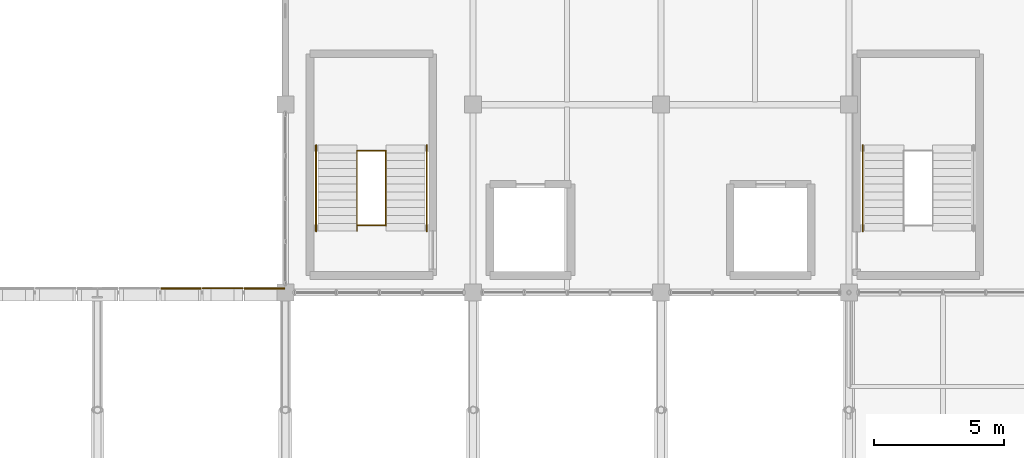
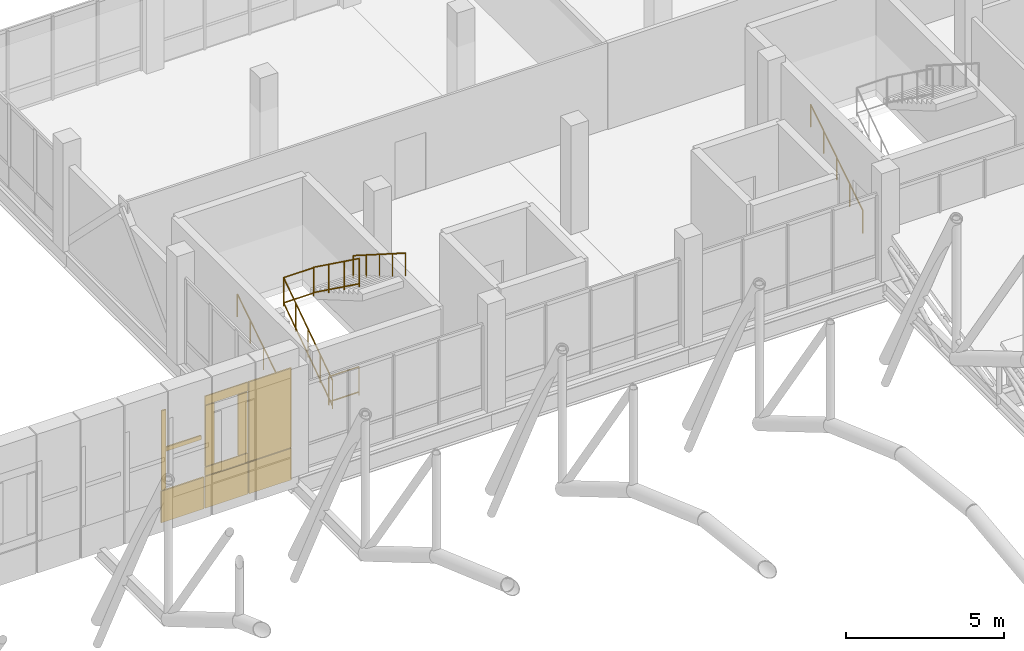
# One storey, part 141 of 144: 10 coverings, 7 railings.
"""IFC4 building model written with IfcOpenShell, lengths in metres."""

from ifc_helpers import new_model, si_unit, direction, frame, origin, origin_2d, place, context, subcontext, project, spatial, rectangle, circle, extrude, material, layer, layer_set, type_object, element, save


model = new_model("IFC4")

# Units and contexts
model_context = context("Model", 3, precision=1e-05, world=origin(), true_north=direction((0.0, 1.0)))
body_context = subcontext(model_context, "Body", "Model", "MODEL_VIEW")
ifc_project = project(units=[si_unit("LENGTHUNIT", "METRE"), si_unit("AREAUNIT", "SQUARE_METRE"), si_unit("VOLUMEUNIT", "CUBIC_METRE"), si_unit("PLANEANGLEUNIT", "RADIAN"), si_unit("MASSUNIT", "GRAM", prefix="KILO")], contexts=[model_context])

# Site, building, storey
site_placement = place(None, origin())
site = spatial("IfcSite", under=ifc_project, at=site_placement, CompositionType="ELEMENT")
building_placement = place(site_placement, origin())
building = spatial("IfcBuilding", under=site, at=building_placement, Name="Yarey Park Central Fire Station", CompositionType="ELEMENT")
storey_placement = place(building_placement, frame((0.0, 0.0, 10.199951171875)))
storey = spatial("IfcBuildingStorey", under=building, at=storey_placement, Name="L03", CompositionType="ELEMENT", Elevation=10.199951171875)

# Coverings
ifc_material_1 = material(Name="Perforated Powder-Coated Aluminium Cladding", Category="aluminium")
ifc_layer_1 = layer(ifc_material_1, 0.0419921875)
ifc_layer_set_1 = layer_set([ifc_layer_1], Name="Perforated Powder-Coated Aluminium Cladding")
covering_type_1 = type_object("IfcCoveringType", Name="ENV_COV_PERF_1", PredefinedType="CLADDING", material=ifc_layer_set_1)
covering_1_placement = place(storey_placement, frame((112.800048828125, 93.760009765625, -0.43505859375), z_axis=(0.0, 0.0, 1.0), x_axis=(1.0, 0.0, 0.0)))
element("IfcCovering", 1, at=covering_1_placement, inside=storey, type_object=covering_type_1, Name="PERF_L03_1705", PredefinedType="CLADDING", context=body_context, shape_type="SweptSolid", body=[
    extrude(rectangle(XDim=1.56005859375, YDim=0.0419921875, at=origin_2d()), origin(), (0.0, 0.0, 1.0), 1.219970703125),
])
for number, where, z_axis, x_axis, name in (
    (2, (112.800048828125, 93.760009765625, 0.81005859375), (0.0, 0.0, 1.0), (1.0, 0.0, 0.0), "PERF_L03_1706"),
    (3, (112.800048828125, 93.760009765625, 3.5498046875), (0.0, 0.0, 1.0), (1.0, 0.0, 0.0), "PERF_L03_1707"),
):
    element("IfcCovering", number, at=place(storey_placement, frame(where, z_axis=z_axis, x_axis=x_axis)), inside=storey, type_object=covering_type_1, Name=name, PredefinedType="CLADDING", context=body_context, shape_type="SweptSolid", body=[
        extrude(rectangle(XDim=1.56005859375, YDim=0.0419921875, at=origin_2d()), origin(), (0.0, 0.0, 1.0), 0.340087890625),
    ])
for number, where, z_axis, x_axis, name in (
    (4, (112.199951171875, 93.760009765625, 1.175048828125), (0.0, 0.0, 1.0), (1.0, 0.0, 0.0), "PERF_L03_1708"),
    (5, (113.39990234375, 93.760009765625, 1.175048828125), (0.0, 0.0, 1.0), (1.0, 0.0, 0.0), "PERF_L03_1709"),
):
    element("IfcCovering", number, at=place(storey_placement, frame(where, z_axis=z_axis, x_axis=x_axis)), inside=storey, type_object=covering_type_1, Name=name, PredefinedType="CLADDING", context=body_context, shape_type="SweptSolid", body=[
        extrude(rectangle(XDim=0.340087890625, YDim=0.0419921875, at=origin_2d()), origin(), (0.0, 0.0, 1.0), 2.35009765625),
    ])
ifc_layer_2 = layer(ifc_material_1, 0.053955078125)
ifc_layer_set_2 = layer_set([ifc_layer_2], Name="Perforated Powder-Coated Aluminium Cladding")
covering_type_2 = type_object("IfcCoveringType", Name="ENV_COV_PERF_2", PredefinedType="CLADDING", material=ifc_layer_set_2)
covering_2_placement = place(storey_placement, frame((111.199951171875, 93.760009765625, -0.43505859375), z_axis=(0.0, 0.0, 1.0), x_axis=(1.0, 0.0, 0.0)))
element("IfcCovering", 6, at=covering_2_placement, inside=storey, type_object=covering_type_2, Name="PERF_L03_1701", PredefinedType="CLADDING", context=body_context, shape_type="SweptSolid", body=[
    extrude(rectangle(XDim=1.56005859375, YDim=0.053955078125, at=origin_2d()), origin(), (0.0, 0.0, 1.0), 1.219970703125),
])
covering_3_placement = place(storey_placement, frame((110.510009765625, 93.760009765625, 0.81494140625), z_axis=(0.0, 0.0, 1.0), x_axis=(1.0, 0.0, 0.0)))
element("IfcCovering", 7, at=covering_3_placement, inside=storey, type_object=covering_type_2, Name="PERF_L03_1702", PredefinedType="CLADDING", context=body_context, shape_type="SweptSolid", body=[
    extrude(rectangle(XDim=0.159912109375, YDim=0.053955078125, at=origin_2d()), origin(), (0.0, 0.0, 1.0), 3.070068359375),
])
covering_4_placement = place(storey_placement, frame((111.199951171875, 93.760009765625, 2.27001953125), z_axis=(0.0, 0.0, 1.0), x_axis=(1.0, 0.0, 0.0)))
element("IfcCovering", 8, at=covering_4_placement, inside=storey, type_object=covering_type_2, Name="PERF_L03_1703", PredefinedType="CLADDING", context=body_context, shape_type="SweptSolid", body=[
    extrude(rectangle(XDim=1.360107421875, YDim=0.053955078125, at=origin_2d()), origin(), (0.0, 0.0, 1.0), 0.159912109375),
])
covering_5_placement = place(storey_placement, frame((114.39990234375, 93.760009765625, -0.43505859375), z_axis=(0.0, 0.0, 1.0), x_axis=(1.0, 0.0, 0.0)))
element("IfcCovering", 9, at=covering_5_placement, inside=storey, type_object=covering_type_2, Name="PERF_L03_1711", PredefinedType="CLADDING", context=body_context, shape_type="SweptSolid", body=[
    extrude(rectangle(XDim=1.56005859375, YDim=0.053955078125, at=origin_2d()), origin(), (0.0, 0.0, 1.0), 1.219970703125),
])
covering_6_placement = place(storey_placement, frame((114.39990234375, 93.760009765625, 0.81494140625), z_axis=(0.0, 0.0, 1.0), x_axis=(1.0, 0.0, 0.0)))
element("IfcCovering", 10, at=covering_6_placement, inside=storey, type_object=covering_type_2, Name="PERF_L03_1712", PredefinedType="CLADDING", context=body_context, shape_type="SweptSolid", body=[
    extrude(rectangle(XDim=1.56005859375, YDim=0.053955078125, at=origin_2d()), origin(), (0.0, 0.0, 1.0), 3.070068359375),
])

# Railings
ifc_material_2 = material(Name="Galvanized Steel Balustrade", Category="steel")
railing_type_1 = type_object("IfcRailingType", Name="INT_RAIL_GUARD112", PredefinedType="BALUSTRADE", material=ifc_material_2)
railing_1_placement = place(storey_placement, frame((117.949951171875, 95.949951171875, 0.0)))
element("IfcRailing", 11, at=railing_1_placement, inside=storey, type_object=railing_type_1, Name="GRD_C1_L03_F1", PredefinedType="BALUSTRADE", context=body_context, shape_type="SweptSolid", body=[
    extrude(circle(Radius=0.02392578125, at=origin_2d()), frame((0.0, 0.0, 1.09619140625), z_axis=(0.0, 0.827914784024, 0.560853911811), x_axis=(-1.0, 0.0, 0.0)), (0.0, 0.0, 1.0), 3.744384765625),
    extrude(circle(Radius=0.02392578125, at=origin_2d()), frame((0.0, 0.0, 0.1201171875), z_axis=(0.0, 0.827914784024, 0.560853911811), x_axis=(-1.0, 0.0, 0.0)), (0.0, 0.0, 1.0), 3.744384765625),
    extrude(circle(Radius=0.02099609375, at=origin_2d()), origin(), (0.0, 0.0, 1.0), 1.072021484375),
    extrude(circle(Radius=0.02099609375, at=origin_2d()), frame((0.0, 0.77490234375, 0.52490234375)), (0.0, 0.0, 1.0), 1.072021484375),
    extrude(circle(Radius=0.02099609375, at=origin_2d()), frame((0.0, 1.550048828125, 1.050048828125)), (0.0, 0.0, 1.0), 1.072021484375),
    extrude(circle(Radius=0.02099609375, at=origin_2d()), frame((0.0, 2.3251953125, 1.5751953125)), (0.0, 0.0, 1.0), 1.072021484375),
    extrude(circle(Radius=0.02099609375, at=origin_2d()), frame((0.0, 3.10009765625, 2.10009765625)), (0.0, 0.0, 1.0), 1.072021484375),
])
railing_2_placement = place(storey_placement, frame((119.050048828125, 99.050048828125, 2.10009765625)))
element("IfcRailing", 12, at=railing_2_placement, inside=storey, type_object=railing_type_1, Name="GRD_C1_L03_F2", PredefinedType="BALUSTRADE", context=body_context, shape_type="SweptSolid", body=[
    extrude(circle(Radius=0.02392578125, at=origin_2d()), frame((0.0, 0.0, 1.09619140625), z_axis=(0.0, -0.809975627919, 0.586463538659), x_axis=(1.0, 0.0, 0.0)), (0.0, 0.0, 1.0), 3.58056640625),
    extrude(circle(Radius=0.02392578125, at=origin_2d()), frame((0.0, 0.0, 0.1201171875), z_axis=(0.0, -0.809975627919, 0.586463538659), x_axis=(1.0, 0.0, 0.0)), (0.0, 0.0, 1.0), 3.58056640625),
    extrude(circle(Radius=0.02099609375, at=origin_2d()), origin(), (0.0, 0.0, 1.0), 1.072021484375),
    extrude(circle(Radius=0.02099609375, at=origin_2d()), frame((0.0, -0.966796875, 0.699951171875)), (0.0, 0.0, 1.0), 1.072021484375),
    extrude(circle(Radius=0.02099609375, at=origin_2d()), frame((0.0, -1.933349609375, 1.39990234375)), (0.0, 0.0, 1.0), 1.072021484375),
    extrude(circle(Radius=0.02099609375, at=origin_2d()), frame((0.0, -2.900146484375, 2.099853515625)), (0.0, 0.0, 1.0), 1.072021484375),
])
for number, where, name in (
    (13, (117.949951171875, 99.030029296875, 2.10009765625), "GRD_C1_L03_SLOT_MID"),
    (14, (117.949951171875, 96.179931640625, 0.0), "GRD_C1_L03_SLOT_BOT"),
):
    element("IfcRailing", number, at=place(storey_placement, frame(where)), inside=storey, type_object=railing_type_1, Name=name, PredefinedType="BALUSTRADE", context=body_context, shape_type="SweptSolid", body=[
        extrude(circle(Radius=0.02392578125, at=origin_2d()), frame((0.0, 0.0, 1.09619140625), z_axis=(1.0, 0.0, 0.0), x_axis=(0.0, 1.0, 0.0)), (0.0, 0.0, 1.0), 1.10009765625),
        extrude(circle(Radius=0.02392578125, at=origin_2d()), frame((0.0, 0.0, 0.1201171875), z_axis=(1.0, 0.0, 0.0), x_axis=(0.0, 1.0, 0.0)), (0.0, 0.0, 1.0), 1.10009765625),
        extrude(circle(Radius=0.02099609375, at=origin_2d()), origin(), (0.0, 0.0, 1.0), 1.072021484375),
        extrude(circle(Radius=0.02099609375, at=origin_2d()), frame((1.10009765625, 0.0, 0.0)), (0.0, 0.0, 1.0), 1.072021484375),
    ])
ifc_material_3 = material(Name="Stainless Steel AISI 316L", Category="steel")
railing_type_2 = type_object("IfcRailingType", Name="INT_RAIL_HAND090", PredefinedType="HANDRAIL", material=ifc_material_3)
railing_3_placement = place(storey_placement, frame((116.3798828125, 95.949951171875, 0.0)))
element("IfcRailing", 15, at=railing_3_placement, inside=storey, type_object=railing_type_2, Name="HR_C1_L03_F1", PredefinedType="HANDRAIL", context=body_context, shape_type="SweptSolid", body=[
    extrude(circle(Radius=0.02392578125, at=origin_2d()), frame((0.0, 0.0, 0.8759765625), z_axis=(0.0, 0.843653777646, 0.53688760785), x_axis=(-1.0, 0.0, 0.0)), (0.0, 0.0, 1.0), 3.91162109375),
    extrude(circle(Radius=0.02099609375, at=origin_2d()), origin(), (0.0, 0.0, 1.0), 0.851806640625),
    extrude(circle(Radius=0.02099609375, at=origin_2d()), frame((0.0, 0.824951171875, 0.52490234375)), (0.0, 0.0, 1.0), 0.851806640625),
    extrude(circle(Radius=0.02099609375, at=origin_2d()), frame((0.0, 1.64990234375, 1.050048828125)), (0.0, 0.0, 1.0), 0.851806640625),
    extrude(circle(Radius=0.02099609375, at=origin_2d()), frame((0.0, 2.47509765625, 1.5751953125)), (0.0, 0.0, 1.0), 0.851806640625),
    extrude(circle(Radius=0.02099609375, at=origin_2d()), frame((0.0, 3.300048828125, 2.10009765625)), (0.0, 0.0, 1.0), 0.851806640625),
])
railing_4_placement = place(storey_placement, frame((120.6201171875, 99.25, 2.10009765625)))
element("IfcRailing", 16, at=railing_4_placement, inside=storey, type_object=railing_type_2, Name="HR_C1_L03_F2", PredefinedType="HANDRAIL", context=body_context, shape_type="SweptSolid", body=[
    extrude(circle(Radius=0.02392578125, at=origin_2d()), frame((0.0, 0.0, 0.8759765625), z_axis=(0.0, -0.843682047799, 0.53684318215), x_axis=(1.0, 0.0, 0.0)), (0.0, 0.0, 1.0), 3.911376953125),
    extrude(circle(Radius=0.02099609375, at=origin_2d()), origin(), (0.0, 0.0, 1.0), 0.851806640625),
    extrude(circle(Radius=0.02099609375, at=origin_2d()), frame((0.0, -0.824951171875, 0.52490234375)), (0.0, 0.0, 1.0), 0.851806640625),
    extrude(circle(Radius=0.02099609375, at=origin_2d()), frame((0.0, -1.64990234375, 1.0498046875)), (0.0, 0.0, 1.0), 0.851806640625),
    extrude(circle(Radius=0.02099609375, at=origin_2d()), frame((0.0, -2.47509765625, 1.574951171875)), (0.0, 0.0, 1.0), 0.851806640625),
    extrude(circle(Radius=0.02099609375, at=origin_2d()), frame((0.0, -3.300048828125, 2.099853515625)), (0.0, 0.0, 1.0), 0.851806640625),
])
railing_5_placement = place(storey_placement, frame((137.330078125, 95.949951171875, 0.0)))
element("IfcRailing", 17, at=railing_5_placement, inside=storey, type_object=railing_type_2, Name="HR_C2_L03_F1", PredefinedType="HANDRAIL", context=body_context, shape_type="SweptSolid", body=[
    extrude(circle(Radius=0.02392578125, at=origin_2d()), frame((0.0, 0.0, 0.8759765625), z_axis=(0.0, 0.843653777646, 0.53688760785), x_axis=(-1.0, 0.0, 0.0)), (0.0, 0.0, 1.0), 3.91162109375),
    extrude(circle(Radius=0.02099609375, at=origin_2d()), origin(), (0.0, 0.0, 1.0), 0.851806640625),
    extrude(circle(Radius=0.02099609375, at=origin_2d()), frame((0.0, 0.824951171875, 0.52490234375)), (0.0, 0.0, 1.0), 0.851806640625),
    extrude(circle(Radius=0.02099609375, at=origin_2d()), frame((0.0, 1.64990234375, 1.050048828125)), (0.0, 0.0, 1.0), 0.851806640625),
    extrude(circle(Radius=0.02099609375, at=origin_2d()), frame((0.0, 2.47509765625, 1.5751953125)), (0.0, 0.0, 1.0), 0.851806640625),
    extrude(circle(Radius=0.02099609375, at=origin_2d()), frame((0.0, 3.300048828125, 2.10009765625)), (0.0, 0.0, 1.0), 0.851806640625),
])

save(model, "model.ifc")
